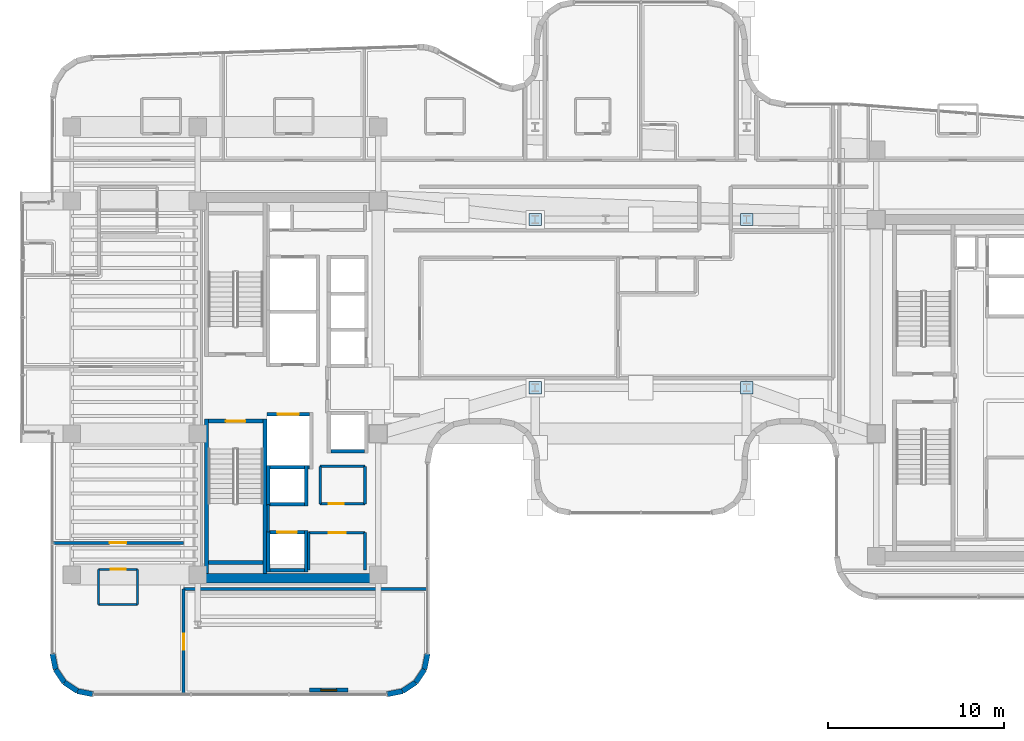
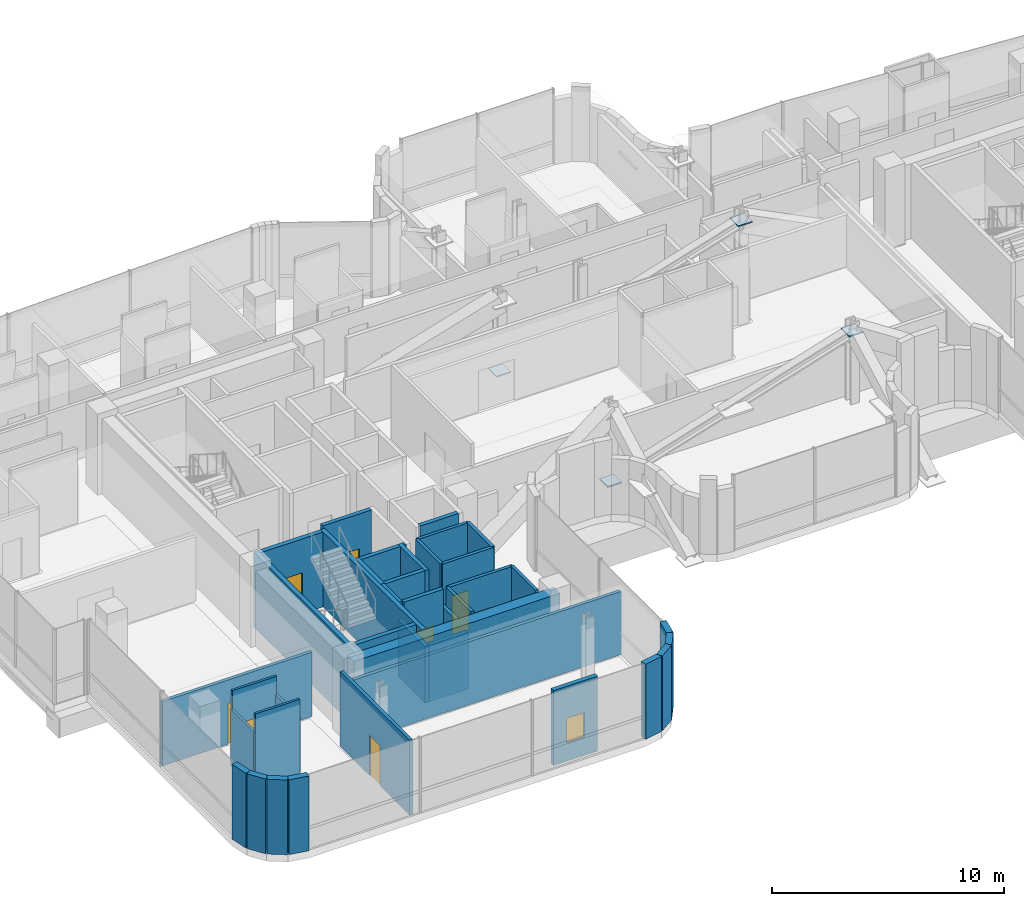
# One storey, part 26 of 37: 39 walls, 8 doors, 4 plates, 1 window, 9 openings.
"""IFC4 building model written with IfcOpenShell, lengths in metres."""

from ifc_helpers import new_model, si_unit, direction, frame, frame_2d, origin, origin_2d, place, context, subcontext, project, spatial, rectangle, extrude, source, transform, mapped, material, layer, layer_set, type_object, element, fill, save


model = new_model("IFC4")

# Units and contexts
model_context = context("Model", 3, precision=1e-05, world=origin(), true_north=direction((0.0, 1.0)))
body_context = subcontext(model_context, "Body", "Model", "MODEL_VIEW")
ifc_project = project(units=[si_unit("LENGTHUNIT", "METRE"), si_unit("AREAUNIT", "SQUARE_METRE"), si_unit("VOLUMEUNIT", "CUBIC_METRE"), si_unit("PLANEANGLEUNIT", "RADIAN"), si_unit("MASSUNIT", "GRAM", prefix="KILO")], contexts=[model_context])

# Site, building, storey
site_placement = place(None, origin())
site = spatial("IfcSite", under=ifc_project, at=site_placement, CompositionType="ELEMENT")
building_placement = place(site_placement, origin())
building = spatial("IfcBuilding", under=site, at=building_placement, Name="Valdorenza Pilgrim Sanctuary Tower", CompositionType="ELEMENT")
storey_placement = place(building_placement, frame((0.0, 0.0, 172.300048828125)))
storey = spatial("IfcBuildingStorey", under=building, at=storey_placement, Name="L44", CompositionType="ELEMENT", Elevation=172.300048828125)

# Plates
ifc_material_1 = material(Name="Steel ASTM A572 Grade 42", Category="steel")
ifc_layer_1 = layer(ifc_material_1, 0.06005859375, Name="Steel ASTM A572 Grade 42")
ifc_layer_set_1 = layer_set([ifc_layer_1], Name="Steel ASTM A572 Grade 42")
plate_type = type_object("IfcPlateType", Name="PLT-CAP-60", PredefinedType="SHEET", material=ifc_layer_set_1)
shared_shape = source(origin(), body_context, "Body", "SweptSolid", [
    extrude(rectangle(XDim=0.699951171875, YDim=0.699951171875, at=origin_2d()), origin(), (0.0, 0.0, 1.0), 0.06005859375),
])
for number, where, z_axis, x_axis, name in (
    (1, (-3.5, 9.550048828125, -0.030029296875), (0.0, 0.0, 1.0), (1.0, 0.0, 0.0), "L44 Portal Bridge Truss Central Web 1 End Connection Plate 1"),
    (2, (8.5, 9.550048828125, 3.669921875), (0.0, 0.0, 1.0), (1.0, 0.0, 0.0), "L44 Portal Bridge Truss Central Web 1 End Connection Plate 2"),
    (3, (-3.5, 0.0, -0.030029296875), (0.0, 0.0, 1.0), (1.0, 0.0, 0.0), "L44 Portal Bridge Truss Central Web 2 End Connection Plate 1"),
    (4, (8.5, 0.0, 3.669921875), (0.0, 0.0, 1.0), (1.0, 0.0, 0.0), "L44 Portal Bridge Truss Central Web 2 End Connection Plate 2"),
):
    element("IfcPlate", number, at=place(storey_placement, frame(where, z_axis=z_axis, x_axis=x_axis)), inside=storey, type_object=plate_type, Name=name, PredefinedType="SHEET", context=body_context, shape_type="MappedRepresentation", body=[
        mapped(shared_shape, transform((0.0, 0.0, 0.0), x_axis=(1.0, 0.0, 0.0), y_axis=(0.0, 1.0, 0.0), z_axis=(0.0, 0.0, 1.0), scale=1.0)),
    ])

# Wall
ifc_material_2 = material(Name="Acoustic twin-stud gypsum partition", Category="gypsum")
ifc_layer_2 = layer(ifc_material_2, 0.159912109375, Name="Acoustic twin-stud gypsum partition")
ifc_layer_set_2 = layer_set([ifc_layer_2], Name="Acoustic twin-stud gypsum partition")
wall_type_1 = type_object("IfcWallType", Name="WAL-COR-160", PredefinedType="PARTITIONING", material=ifc_layer_set_2)
wall_1_placement = place(storey_placement, frame((-18.64990234375, -8.179931640625, 0.0), z_axis=(0.0, 0.0, 1.0), x_axis=(0.0, 1.0, 0.0)))
element("IfcWall", 5, at=wall_1_placement, inside=storey, type_object=wall_type_1, Name="L44 Core A South Lift Hall West Wall", PredefinedType="PARTITIONING", context=body_context, shape_type="SweptSolid", body=[
    extrude(rectangle(XDim=1.559814453125, YDim=0.159912109375, at=frame_2d((0.77978515625, 0.0))), origin(), (0.0, 0.0, 1.0), 3.929931640625),
])

# Wall, opening, door
wall_2_placement = place(storey_placement, frame((-16.35009765625, -8.219970703125, 0.0), z_axis=(0.0, 0.0, 1.0), x_axis=(1.0, 0.0, 0.0)))
wall_2 = element("IfcWall", 6, at=wall_2_placement, inside=storey, type_object=wall_type_1, Name="L44 Freed Shaft 1 North Wall", PredefinedType="PARTITIONING", context=body_context, shape_type="SweptSolid", body=[
    extrude(rectangle(XDim=3.2001953125, YDim=0.159912109375, at=frame_2d((1.60009765625, 0.0))), origin(), (0.0, 0.0, 1.0), 3.929931640625),
])
opening_1_placement = place(wall_2_placement, frame((1.14990234375, 0.0, 0.0)))
opening_1 = element("IfcOpeningElement", 7, at=opening_1_placement, cuts=wall_2, Name="Opening DR-UN1", PredefinedType="OPENING", context=body_context, shape_type="SweptSolid", body=[
    extrude(rectangle(XDim=0.949951171875, YDim=2.14990234375, at=frame_2d((0.47509765625, 1.074951171875))), frame((0.0, 0.0947265625, 0.0), z_axis=(0.0, -1.0, 0.0), x_axis=(1.0, 0.0, 0.0)), (0.0, 0.0, 1.0), 0.189697265625),
])
ifc_material_3 = material(Name="Solid-core European oak timber", Category="wood")
door_type_1 = type_object("IfcDoorType", Name="DR-UNIT-950", OperationType="NOTDEFINED", PredefinedType="DOOR", material=ifc_material_3)
door_1_placement = place(opening_1_placement, origin())
door_1 = element("IfcDoor", 8, at=door_1_placement, inside=storey, type_object=door_type_1, Name="L44 Back-of-House Linen Store Door", OperationType="SINGLE_SWING_LEFT", OverallHeight=2.14990234375, OverallWidth=0.949951171875, PredefinedType="DOOR", context=body_context, shape_type="SweptSolid", body=[
    extrude(rectangle(XDim=0.949951171875, YDim=2.14990234375, at=frame_2d((0.47509765625, 1.074951171875))), frame((0.0, 0.02490234375, 0.0), z_axis=(0.0, -1.0, 0.0), x_axis=(1.0, 0.0, 0.0)), (0.0, 0.0, 1.0), 0.050048828125),
])
fill(opening_1, door_1)

# Wall
wall_3_placement = place(storey_placement, frame((-13.14990234375, -10.35009765625, 0.0), z_axis=(0.0, 0.0, 1.0), x_axis=(0.0, 1.0, 0.0)))
element("IfcWall", 9, at=wall_3_placement, inside=storey, type_object=wall_type_1, Name="L44 Freed Shaft 1 East Wall", PredefinedType="PARTITIONING", context=body_context, shape_type="SweptSolid", body=[
    extrude(rectangle(XDim=2.130126953125, YDim=0.159912109375, at=frame_2d((1.06494140625, 0.0))), origin(), (0.0, 0.0, 1.0), 3.929931640625),
])

# Wall, opening, door
wall_4_placement = place(storey_placement, frame((-15.699951171875, -6.580078125, 0.0), z_axis=(0.0, 0.0, 1.0), x_axis=(1.0, 0.0, 0.0)))
wall_4 = element("IfcWall", 10, at=wall_4_placement, inside=storey, type_object=wall_type_1, Name="L44 Freed Shaft 2 South Wall", PredefinedType="PARTITIONING", context=body_context, shape_type="SweptSolid", body=[
    extrude(rectangle(XDim=2.550048828125, YDim=0.159912109375, at=frame_2d((1.27490234375, 0.0))), origin(), (0.0, 0.0, 1.0), 3.929931640625),
])
opening_2_placement = place(wall_4_placement, frame((0.5, 0.0, 0.0)))
opening_2 = element("IfcOpeningElement", 11, at=opening_2_placement, cuts=wall_4, Name="Opening DR-RS1", PredefinedType="OPENING", context=body_context, shape_type="SweptSolid", body=[
    extrude(rectangle(XDim=0.85009765625, YDim=2.050048828125, at=frame_2d((0.425048828125, 1.02490234375))), frame((0.0, 0.0947265625, 0.0), z_axis=(0.0, -1.0, 0.0), x_axis=(1.0, 0.0, 0.0)), (0.0, 0.0, 1.0), 0.189697265625),
])
ifc_material_4 = material(Name="Painted galvanized steel", Category="steel")
door_type_2 = type_object("IfcDoorType", Name="DR-RSR-850", OperationType="NOTDEFINED", PredefinedType="DOOR", material=ifc_material_4)
door_2_placement = place(opening_2_placement, origin())
door_2 = element("IfcDoor", 12, at=door_2_placement, inside=storey, type_object=door_type_2, Name="L44 Guest Tea Pantry Door", OperationType="SINGLE_SWING_RIGHT", OverallHeight=2.050048828125, OverallWidth=0.85009765625, PredefinedType="DOOR", context=body_context, shape_type="SweptSolid", body=[
    extrude(rectangle(XDim=0.85009765625, YDim=2.050048828125, at=frame_2d((0.425048828125, 1.02490234375))), frame((0.0, 0.02490234375, 0.0), z_axis=(0.0, -1.0, 0.0), x_axis=(1.0, 0.0, 0.0)), (0.0, 0.0, 1.0), 0.050048828125),
])
fill(opening_2, door_2)

# Walls
wall_5_placement = place(storey_placement, frame((-13.14990234375, -6.580078125, 0.0), z_axis=(0.0, 0.0, 1.0), x_axis=(0.0, 1.0, 0.0)))
element("IfcWall", 13, at=wall_5_placement, inside=storey, type_object=wall_type_1, Name="L44 Freed Shaft 2 East Wall", PredefinedType="PARTITIONING", context=body_context, shape_type="SweptSolid", body=[
    extrude(rectangle(XDim=2.130126953125, YDim=0.159912109375, at=frame_2d((1.06494140625, 0.0))), origin(), (0.0, 0.0, 1.0), 3.929931640625),
])
wall_6_placement = place(storey_placement, frame((-23.449951171875, -11.419921875, 0.0), z_axis=(0.0, 0.0, 1.0), x_axis=(1.0, 0.0, 0.0)))
element("IfcWall", 14, at=wall_6_placement, inside=storey, type_object=wall_type_1, Name="L44 South-East Pocket North Wall", PredefinedType="PARTITIONING", context=body_context, shape_type="SweptSolid", body=[
    extrude(rectangle(XDim=13.83984375, YDim=0.159912109375, at=frame_2d((6.919921875, 0.0))), origin(), (0.0, 0.0, 1.0), 3.303955078125),
])

# Wall, opening, door
wall_7_placement = place(storey_placement, frame((-23.449951171875, -17.389892578125, 0.0), z_axis=(0.0, 0.0, 1.0), x_axis=(0.0, 1.0, 0.0)))
wall_7 = element("IfcWall", 15, at=wall_7_placement, inside=storey, type_object=wall_type_1, Name="L44 South-East Pocket West Wall", PredefinedType="PARTITIONING", context=body_context, shape_type="SweptSolid", body=[
    extrude(rectangle(XDim=5.969970703125, YDim=0.159912109375, at=frame_2d((2.98486328125, 0.0))), origin(), (0.0, 0.0, 1.0), 3.929931640625),
])
opening_3_placement = place(wall_7_placement, frame((2.534912109375, 0.0, 0.0)))
opening_3 = element("IfcOpeningElement", 16, at=opening_3_placement, cuts=wall_7, Name="Opening DR-RM1", PredefinedType="OPENING", context=body_context, shape_type="SweptSolid", body=[
    extrude(rectangle(XDim=0.89990234375, YDim=2.10009765625, at=frame_2d((0.449951171875, 1.050048828125))), frame((0.0, 0.0947265625, 0.0), z_axis=(0.0, -1.0, 0.0), x_axis=(1.0, 0.0, 0.0)), (0.0, 0.0, 1.0), 0.189697265625),
])
door_type_3 = type_object("IfcDoorType", Name="DR-ROOM-900", OperationType="NOTDEFINED", PredefinedType="DOOR", material=ifc_material_3)
door_3_placement = place(opening_3_placement, frame((0.89990234375, 0.0, 0.0), z_axis=(0.0, 0.0, 1.0), x_axis=(-1.0, 0.0, 0.0)))
door_3 = element("IfcDoor", 17, at=door_3_placement, inside=storey, type_object=door_type_3, Name="L44 Sacred Archive Reading Library L44-S Door", OperationType="SINGLE_SWING_LEFT", OverallHeight=2.10009765625, OverallWidth=0.89990234375, PredefinedType="DOOR", context=body_context, shape_type="SweptSolid", body=[
    extrude(rectangle(XDim=0.89990234375, YDim=2.10009765625, at=frame_2d((0.449951171875, 1.050048828125))), frame((0.0, 0.02490234375, 0.0), z_axis=(0.0, -1.0, 0.0), x_axis=(1.0, 0.0, 0.0)), (0.0, 0.0, 1.0), 0.050048828125),
])
fill(opening_3, door_3)

wall_8_placement = place(storey_placement, frame((-30.889892578125, -8.800048828125, 0.0), z_axis=(0.0, 0.0, 1.0), x_axis=(1.0, 0.0, 0.0)))
wall_8 = element("IfcWall", 18, at=wall_8_placement, inside=storey, type_object=wall_type_1, Name="L44 Cloister South Room Wall", PredefinedType="PARTITIONING", context=body_context, shape_type="SweptSolid", body=[
    extrude(rectangle(XDim=7.43994140625, YDim=0.159912109375, at=frame_2d((3.719970703125, 0.0))), origin(), (0.0, 0.0, 1.0), 3.3759765625),
])
opening_4_placement = place(wall_8_placement, frame((3.2451171875, 0.0, 0.0)))
opening_4 = element("IfcOpeningElement", 19, at=opening_4_placement, cuts=wall_8, Name="Opening DR-UN1", PredefinedType="OPENING", context=body_context, shape_type="SweptSolid", body=[
    extrude(rectangle(XDim=0.949951171875, YDim=2.14990234375, at=frame_2d((0.47509765625, 1.074951171875))), frame((0.0, 0.0947265625, 0.0), z_axis=(0.0, -1.0, 0.0), x_axis=(1.0, 0.0, 0.0)), (0.0, 0.0, 1.0), 0.189697265625),
])
door_4_placement = place(opening_4_placement, origin())
door_4 = element("IfcDoor", 20, at=door_4_placement, inside=storey, type_object=door_type_1, Name="L44 Pilgrim Guest Room L44-CS1 Entrance Door", OperationType="SINGLE_SWING_RIGHT", OverallHeight=2.14990234375, OverallWidth=0.949951171875, PredefinedType="DOOR", context=body_context, shape_type="SweptSolid", body=[
    extrude(rectangle(XDim=0.949951171875, YDim=2.14990234375, at=frame_2d((0.47509765625, 1.074951171875))), frame((0.0, 0.02490234375, 0.0), z_axis=(0.0, -1.0, 0.0), x_axis=(1.0, 0.0, 0.0)), (0.0, 0.0, 1.0), 0.050048828125),
])
fill(opening_4, door_4)

# Walls
ifc_material_5 = material(Name="Concrete C50/60", Category="concrete")
ifc_layer_3 = layer(ifc_material_5, 0.550048828125, Name="Concrete C50/60")
ifc_layer_set_3 = layer_set([ifc_layer_3], Name="Concrete C50/60")
wall_type_2 = type_object("IfcWallType", Name="WAL-COR-550", PredefinedType="SHEAR", material=ifc_layer_set_3)
wall_9_placement = place(storey_placement, frame((-22.64990234375, -10.800048828125, 0.0), z_axis=(0.0, 0.0, 1.0), x_axis=(1.0, 0.0, 0.0)))
element("IfcWall", 21, at=wall_9_placement, inside=storey, type_object=wall_type_2, Name="L44 Split Core A Shear Wall S", PredefinedType="SHEAR", context=body_context, shape_type="SweptSolid", body=[
    extrude(rectangle(XDim=10.25, YDim=0.550048828125, at=frame_2d((5.125, 0.0))), origin(), (0.0, 0.0, 1.0), 3.929931640625),
])
ifc_material_6 = material(Name="Honed travertine limestone", Category="masonry")
ifc_layer_4 = layer(ifc_material_6, 0.300048828125, Name="Honed travertine limestone")
ifc_layer_set_4 = layer_set([ifc_layer_4], Name="Honed travertine limestone")
wall_type_3 = type_object("IfcWallType", Name="WAL-EXT-300", PredefinedType="SOLIDWALL", material=ifc_layer_set_4)
wall_10_placement = place(storey_placement, frame((-9.610107421875, -15.089111328125, 0.0), z_axis=(0.0, 0.0, 1.0), x_axis=(-0.195025152871, -0.980798241101, 0.0)))
element("IfcWall", 22, at=wall_10_placement, inside=storey, type_object=wall_type_3, Name="L44 Rounded Wind-Corner Stone Pier 78", PredefinedType="SOLIDWALL", context=body_context, shape_type="SweptSolid", body=[
    extrude(rectangle(XDim=0.90380859375, YDim=0.300048828125, at=frame_2d((0.451904296875, 0.0))), origin(), (0.0, 0.0, 1.0), 3.929931640625),
])
for number, where, z_axis, x_axis, name in (
    (23, (-9.786376953125, -15.9755859375, 0.0), (0.0, 0.0, 1.0), (-0.555520488502, -0.831502848374, 0.0), "L44 Rounded Wind-Corner Stone Pier 79"),
    (24, (-10.2822265625, -16.7177734375, 0.0), (0.0, 0.0, 1.0), (-0.831502848374, -0.555520488502, 0.0), "L44 Rounded Wind-Corner Stone Pier 80"),
):
    element("IfcWall", number, at=place(storey_placement, frame(where, z_axis=z_axis, x_axis=x_axis)), inside=storey, type_object=wall_type_3, Name=name, PredefinedType="SOLIDWALL", context=body_context, shape_type="SweptSolid", body=[
        extrude(rectangle(XDim=0.892578125, YDim=0.300048828125, at=frame_2d((0.4462890625, 0.0))), origin(), (0.0, 0.0, 1.0), 3.929931640625),
    ])
wall_11_placement = place(storey_placement, frame((-11.0244140625, -17.213623046875, 0.0), z_axis=(0.0, 0.0, 1.0), x_axis=(-0.980798241101, -0.195025152871, 0.0)))
element("IfcWall", 25, at=wall_11_placement, inside=storey, type_object=wall_type_3, Name="L44 Rounded Wind-Corner Stone Pier 81", PredefinedType="SOLIDWALL", context=body_context, shape_type="SweptSolid", body=[
    extrude(rectangle(XDim=0.90380859375, YDim=0.300048828125, at=frame_2d((0.451904296875, 0.0))), origin(), (0.0, 0.0, 1.0), 3.929931640625),
])

# Wall, opening, window
wall_12_placement = place(storey_placement, frame((-14.11083984375, -17.14990234375, 0.0), z_axis=(0.0, 0.0, 1.0), x_axis=(-1.0, 0.0, 0.0)))
wall_12 = element("IfcWall", 26, at=wall_12_placement, inside=storey, type_object=wall_type_3, Name="L44 Operable Ventilation Sash Jamb Pier", PredefinedType="SOLIDWALL", context=body_context, shape_type="SweptSolid", body=[
    extrude(rectangle(XDim=2.199951171875, YDim=0.219970703125, at=frame_2d((1.10009765625, 0.0))), origin(), (0.0, 0.0, 1.0), 3.929931640625),
])
opening_5_placement = place(wall_12_placement, frame((0.64990234375, 0.0, 0.949951171875)))
opening_5 = element("IfcOpeningElement", 27, at=opening_5_placement, cuts=wall_12, Name="Opening WN-OP1", PredefinedType="OPENING", context=body_context, shape_type="SweptSolid", body=[
    extrude(rectangle(XDim=0.89990234375, YDim=1.300048828125, at=frame_2d((0.449951171875, 0.64990234375))), frame((0.0, 0.125, 0.0), z_axis=(0.0, -1.0, 0.0), x_axis=(1.0, 0.0, 0.0)), (0.0, 0.0, 1.0), 0.249755859375),
])
ifc_material_7 = material(Name="Ceramic-fritted low-E IGU glazing", Category="glass")
window_type = type_object("IfcWindowType", Name="WIN-OPN-900", PartitioningType="SINGLE_PANEL", PredefinedType="WINDOW", material=ifc_material_7)
window_placement = place(opening_5_placement, origin())
window = element("IfcWindow", 28, at=window_placement, inside=storey, type_object=window_type, Name="L44 Parallel-Pop-Out Operable Facade Panel", OverallHeight=1.300048828125, OverallWidth=0.89990234375, PartitioningType="SINGLE_PANEL", PredefinedType="WINDOW", context=body_context, shape_type="SweptSolid", body=[
    extrude(rectangle(XDim=0.89990234375, YDim=1.300048828125, at=frame_2d((0.449951171875, 0.64990234375))), frame((0.0, 0.030029296875, 0.0), z_axis=(0.0, -1.0, 0.0), x_axis=(1.0, 0.0, 0.0)), (0.0, 0.0, 1.0), 0.06005859375),
])
fill(opening_5, window)

# Walls
wall_13_placement = place(storey_placement, frame((-28.589111328125, -17.389892578125, 0.0), z_axis=(0.0, 0.0, 1.0), x_axis=(-0.980798241101, 0.195025152871, 0.0)))
element("IfcWall", 29, at=wall_13_placement, inside=storey, type_object=wall_type_3, Name="L44 Rounded Wind-Corner Stone Pier 83", PredefinedType="SOLIDWALL", context=body_context, shape_type="SweptSolid", body=[
    extrude(rectangle(XDim=0.90380859375, YDim=0.300048828125, at=frame_2d((0.451904296875, 0.0))), origin(), (0.0, 0.0, 1.0), 3.929931640625),
])
for number, where, z_axis, x_axis, name in (
    (30, (-29.4755859375, -17.213623046875, 0.0), (0.0, 0.0, 1.0), (-0.831502848374, 0.555520488502, 0.0), "L44 Rounded Wind-Corner Stone Pier 84"),
    (31, (-30.2177734375, -16.7177734375, 0.0), (0.0, 0.0, 1.0), (-0.555520488502, 0.831502848374, 0.0), "L44 Rounded Wind-Corner Stone Pier 85"),
):
    element("IfcWall", number, at=place(storey_placement, frame(where, z_axis=z_axis, x_axis=x_axis)), inside=storey, type_object=wall_type_3, Name=name, PredefinedType="SOLIDWALL", context=body_context, shape_type="SweptSolid", body=[
        extrude(rectangle(XDim=0.892578125, YDim=0.300048828125, at=frame_2d((0.4462890625, 0.0))), origin(), (0.0, 0.0, 1.0), 3.929931640625),
    ])
wall_14_placement = place(storey_placement, frame((-30.713623046875, -15.9755859375, 0.0), z_axis=(0.0, 0.0, 1.0), x_axis=(-0.195025152871, 0.980798241101, 0.0)))
element("IfcWall", 32, at=wall_14_placement, inside=storey, type_object=wall_type_3, Name="L44 Rounded Wind-Corner Stone Pier 86", PredefinedType="SOLIDWALL", context=body_context, shape_type="SweptSolid", body=[
    extrude(rectangle(XDim=0.90380859375, YDim=0.300048828125, at=frame_2d((0.451904296875, 0.0))), origin(), (0.0, 0.0, 1.0), 3.929931640625),
])
ifc_material_8 = material(Name="Moisture-resistant gypsum partition", Category="gypsum")
ifc_layer_5 = layer(ifc_material_8, 0.1201171875, Name="Moisture-resistant gypsum partition")
ifc_layer_set_5 = layer_set([ifc_layer_5], Name="Moisture-resistant gypsum partition")
wall_type_4 = type_object("IfcWallType", Name="WAL-INT-120", PredefinedType="PARTITIONING", material=ifc_layer_set_5)
for number, where, z_axis, x_axis, name in (
    (33, (-28.27001953125, -12.300048828125, 0.0), (0.0, 0.0, 1.0), (0.0, 1.0, 0.0), "L44 Pilgrim Guest Room L44-CS1 En-suite West Wall"),
    (34, (-26.070068359375, -12.300048828125, 0.0), (0.0, 0.0, 1.0), (0.0, 1.0, 0.0), "L44 Pilgrim Guest Room L44-CS1 En-suite East Wall"),
):
    element("IfcWall", number, at=place(storey_placement, frame(where, z_axis=z_axis, x_axis=x_axis)), inside=storey, type_object=wall_type_4, Name=name, PredefinedType="PARTITIONING", context=body_context, shape_type="SweptSolid", body=[
        extrude(rectangle(XDim=2.0, YDim=0.1201171875, at=frame_2d((1.0, 0.0))), origin(), (0.0, 0.0, 1.0), 2.96484375),
    ])
wall_15_placement = place(storey_placement, frame((-28.27001953125, -12.300048828125, 0.0), z_axis=(0.0, 0.0, 1.0), x_axis=(1.0, 0.0, 0.0)))
element("IfcWall", 35, at=wall_15_placement, inside=storey, type_object=wall_type_4, Name="L44 Pilgrim Guest Room L44-CS1 En-suite Back Wall", PredefinedType="PARTITIONING", context=body_context, shape_type="SweptSolid", body=[
    extrude(rectangle(XDim=2.199951171875, YDim=0.1201171875, at=frame_2d((1.10009765625, 0.0))), origin(), (0.0, 0.0, 1.0), 3.929931640625),
])

# Wall, opening, door
wall_16_placement = place(storey_placement, frame((-28.27001953125, -10.300048828125, 0.0), z_axis=(0.0, 0.0, 1.0), x_axis=(1.0, 0.0, 0.0)))
wall_16 = element("IfcWall", 36, at=wall_16_placement, inside=storey, type_object=wall_type_4, Name="L44 Pilgrim Guest Room L44-CS1 En-suite Door Wall", PredefinedType="PARTITIONING", context=body_context, shape_type="SweptSolid", body=[
    extrude(rectangle(XDim=2.199951171875, YDim=0.1201171875, at=frame_2d((1.10009765625, 0.0))), origin(), (0.0, 0.0, 1.0), 3.929931640625),
])
opening_6_placement = place(wall_16_placement, frame((0.675048828125, 0.0, 0.0)))
opening_6 = element("IfcOpeningElement", 37, at=opening_6_placement, cuts=wall_16, Name="Opening DR-WC1", PredefinedType="OPENING", context=body_context, shape_type="SweptSolid", body=[
    extrude(rectangle(XDim=0.85009765625, YDim=2.10009765625, at=frame_2d((0.425048828125, 1.050048828125))), frame((0.0, 0.074951171875, 0.0), z_axis=(0.0, -1.0, 0.0), x_axis=(1.0, 0.0, 0.0)), (0.0, 0.0, 1.0), 0.14990234375),
])
ifc_material_9 = material(Name="Moisture-resistant lacquered timber", Category="wood")
door_type_4 = type_object("IfcDoorType", Name="DR-BATH-850", OperationType="NOTDEFINED", PredefinedType="DOOR", material=ifc_material_9)
door_5_placement = place(opening_6_placement, origin())
door_5 = element("IfcDoor", 38, at=door_5_placement, inside=storey, type_object=door_type_4, Name="L44 Pilgrim Guest Room L44-CS1 En-suite Bathroom Door", OperationType="SINGLE_SWING_LEFT", OverallHeight=2.10009765625, OverallWidth=0.85009765625, PredefinedType="DOOR", context=body_context, shape_type="SweptSolid", body=[
    extrude(rectangle(XDim=0.85009765625, YDim=2.10009765625, at=frame_2d((0.425048828125, 1.050048828125))), frame((0.0, 0.02490234375, 0.0), z_axis=(0.0, -1.0, 0.0), x_axis=(1.0, 0.0, 0.0)), (0.0, 0.0, 1.0), 0.050048828125),
])
fill(opening_6, door_5)

# Wall
ifc_material_10 = material(Name="Autoclaved aerated concrete blockwork", Category="masonry")
ifc_layer_6 = layer(ifc_material_10, 0.199951171875, Name="Autoclaved aerated concrete blockwork")
ifc_layer_set_6 = layer_set([ifc_layer_6], Name="Autoclaved aerated concrete blockwork")
wall_type_5 = type_object("IfcWallType", Name="WAL-SHF-200", PredefinedType="MOVABLE", material=ifc_layer_set_6)
wall_17_placement = place(storey_placement, frame((-18.719970703125, -4.5, 0.0), z_axis=(0.0, 0.0, 1.0), x_axis=(1.0, 0.0, 0.0)))
element("IfcWall", 39, at=wall_17_placement, inside=storey, type_object=wall_type_5, Name="L44 Lift FFL-02 Hoistway Wall South", PredefinedType="MOVABLE", context=body_context, shape_type="SweptSolid", body=[
    extrude(rectangle(XDim=2.419921875, YDim=0.199951171875, at=frame_2d((1.2099609375, 0.0))), origin(), (0.0, 0.0, 1.0), 3.929931640625),
])

# Wall, opening, door
wall_18_placement = place(storey_placement, frame((-18.719970703125, -1.5, 0.0), z_axis=(0.0, 0.0, 1.0), x_axis=(1.0, 0.0, 0.0)))
wall_18 = element("IfcWall", 40, at=wall_18_placement, inside=storey, type_object=wall_type_5, Name="L44 Lift FFL-02 Hoistway Wall North", PredefinedType="MOVABLE", context=body_context, shape_type="SweptSolid", body=[
    extrude(rectangle(XDim=2.419921875, YDim=0.199951171875, at=frame_2d((1.2099609375, 0.0))), origin(), (0.0, 0.0, 1.0), 3.929931640625),
])
opening_7_placement = place(wall_18_placement, frame((0.610107421875, 0.0, 0.0)))
opening_7 = element("IfcOpeningElement", 41, at=opening_7_placement, cuts=wall_18, Name="Opening LD-02", PredefinedType="OPENING", context=body_context, shape_type="SweptSolid", body=[
    extrude(rectangle(XDim=1.199951171875, YDim=2.10009765625, at=frame_2d((0.60009765625, 1.050048828125))), frame((0.0, 0.11474609375, 0.0), z_axis=(0.0, -1.0, 0.0), x_axis=(1.0, 0.0, 0.0)), (0.0, 0.0, 1.0), 0.229736328125),
])
ifc_material_11 = material(Name="Brushed stainless steel Grade 316", Category="steel")
door_type_5 = type_object("IfcDoorType", Name="DR-LFT-1200", OperationType="DOUBLE_DOOR_SLIDING", PredefinedType="DOOR", material=ifc_material_11)
door_6_placement = place(opening_7_placement, origin())
door_6 = element("IfcDoor", 42, at=door_6_placement, inside=storey, type_object=door_type_5, Name="L44 Lift FFL-02 Sliding Landing Door", OperationType="DOUBLE_DOOR_SLIDING", OverallHeight=2.10009765625, OverallWidth=1.199951171875, PredefinedType="DOOR", context=body_context, shape_type="SweptSolid", body=[
    extrude(rectangle(XDim=1.199951171875, YDim=2.10009765625, at=frame_2d((0.60009765625, 1.050048828125))), frame((0.0, 0.02490234375, 0.0), z_axis=(0.0, -1.0, 0.0), x_axis=(1.0, 0.0, 0.0)), (0.0, 0.0, 1.0), 0.050048828125),
])
fill(opening_7, door_6)

# Walls
for number, where, z_axis, x_axis, name in (
    (43, (-18.64990234375, -10.449951171875, 0.0), (0.0, 0.0, 1.0), (0.0, 1.0, 0.0), "L44 Lift PL-05 Hoistway Wall West"),
    (44, (-16.5, -10.449951171875, 0.0), (0.0, 0.0, 1.0), (0.0, 1.0, 0.0), "L44 Lift PL-05 Hoistway Wall East"),
):
    element("IfcWall", number, at=place(storey_placement, frame(where, z_axis=z_axis, x_axis=x_axis)), inside=storey, type_object=wall_type_5, Name=name, PredefinedType="MOVABLE", context=body_context, shape_type="SweptSolid", body=[
        extrude(rectangle(XDim=2.349853515625, YDim=0.199951171875, at=frame_2d((1.1748046875, 0.0))), origin(), (0.0, 0.0, 1.0), 2.96484375),
    ])
wall_19_placement = place(storey_placement, frame((-18.550048828125, -10.35009765625, 0.0), z_axis=(0.0, 0.0, 1.0), x_axis=(1.0, 0.0, 0.0)))
element("IfcWall", 45, at=wall_19_placement, inside=storey, type_object=wall_type_5, Name="L44 Lift PL-05 Hoistway Wall South", PredefinedType="MOVABLE", context=body_context, shape_type="SweptSolid", body=[
    extrude(rectangle(XDim=1.949951171875, YDim=0.199951171875, at=frame_2d((0.97509765625, 0.0))), origin(), (0.0, 0.0, 1.0), 2.96484375),
])

# Wall, opening, door
wall_20_placement = place(storey_placement, frame((-18.550048828125, -8.199951171875, 0.0), z_axis=(0.0, 0.0, 1.0), x_axis=(1.0, 0.0, 0.0)))
wall_20 = element("IfcWall", 46, at=wall_20_placement, inside=storey, type_object=wall_type_5, Name="L44 Lift PL-05 Hoistway Wall North", PredefinedType="MOVABLE", context=body_context, shape_type="SweptSolid", body=[
    extrude(rectangle(XDim=1.949951171875, YDim=0.199951171875, at=frame_2d((0.97509765625, 0.0))), origin(), (0.0, 0.0, 1.0), 3.929931640625),
])
opening_8_placement = place(wall_20_placement, frame((0.425048828125, 0.0, 0.0)))
opening_8 = element("IfcOpeningElement", 47, at=opening_8_placement, cuts=wall_20, Name="Opening LD-01", PredefinedType="OPENING", context=body_context, shape_type="SweptSolid", body=[
    extrude(rectangle(XDim=1.10009765625, YDim=2.10009765625, at=frame_2d((0.550048828125, 1.050048828125))), frame((0.0, 0.11474609375, 0.0), z_axis=(0.0, -1.0, 0.0), x_axis=(1.0, 0.0, 0.0)), (0.0, 0.0, 1.0), 0.229736328125),
])
door_type_6 = type_object("IfcDoorType", Name="DR-LFT-1100", OperationType="DOUBLE_DOOR_SLIDING", PredefinedType="DOOR", material=ifc_material_11)
door_7_placement = place(opening_8_placement, origin())
door_7 = element("IfcDoor", 48, at=door_7_placement, inside=storey, type_object=door_type_6, Name="L44 Lift PL-05 Sliding Landing Door", OperationType="DOUBLE_DOOR_SLIDING", OverallHeight=2.10009765625, OverallWidth=1.10009765625, PredefinedType="DOOR", context=body_context, shape_type="SweptSolid", body=[
    extrude(rectangle(XDim=1.10009765625, YDim=2.10009765625, at=frame_2d((0.550048828125, 1.050048828125))), frame((0.0, 0.02490234375, 0.0), z_axis=(0.0, -1.0, 0.0), x_axis=(1.0, 0.0, 0.0)), (0.0, 0.0, 1.0), 0.050048828125),
])
fill(opening_8, door_7)

# Walls
for number, where, z_axis, x_axis, name in (
    (49, (-18.64990234375, -6.699951171875, 0.0), (0.0, 0.0, 1.0), (0.0, 1.0, 0.0), "L44 Lift PL-11 Hoistway Wall West"),
    (50, (-16.5, -6.699951171875, 0.0), (0.0, 0.0, 1.0), (0.0, 1.0, 0.0), "L44 Lift PL-11 Hoistway Wall East"),
):
    element("IfcWall", number, at=place(storey_placement, frame(where, z_axis=z_axis, x_axis=x_axis)), inside=storey, type_object=wall_type_5, Name=name, PredefinedType="MOVABLE", context=body_context, shape_type="SweptSolid", body=[
        extrude(rectangle(XDim=2.300048828125, YDim=0.199951171875, at=frame_2d((1.14990234375, 0.0))), origin(), (0.0, 0.0, 1.0), 3.929931640625),
    ])
wall_21_placement = place(storey_placement, frame((-18.550048828125, -6.60009765625, 0.0), z_axis=(0.0, 0.0, 1.0), x_axis=(1.0, 0.0, 0.0)))
element("IfcWall", 51, at=wall_21_placement, inside=storey, type_object=wall_type_5, Name="L44 Lift PL-11 Hoistway Wall South", PredefinedType="MOVABLE", context=body_context, shape_type="SweptSolid", body=[
    extrude(rectangle(XDim=1.949951171875, YDim=0.199951171875, at=frame_2d((0.97509765625, 0.0))), origin(), (0.0, 0.0, 1.0), 3.929931640625),
])
wall_22_placement = place(storey_placement, frame((-15.10009765625, -3.60009765625, 0.0), z_axis=(0.0, 0.0, 1.0), x_axis=(1.0, 0.0, 0.0)))
element("IfcWall", 52, at=wall_22_placement, inside=storey, type_object=wall_type_5, Name="L44 Lift PL-12 Hoistway Wall South", PredefinedType="MOVABLE", context=body_context, shape_type="SweptSolid", body=[
    extrude(rectangle(XDim=1.920166015625, YDim=0.199951171875, at=frame_2d((0.9599609375, 0.0))), origin(), (0.0, 0.0, 1.0), 3.929931640625),
])
ifc_material_12 = material(Name="Concrete C40/50", Category="concrete")
ifc_layer_7 = layer(ifc_material_12, 0.219970703125, Name="Concrete C40/50")
ifc_layer_set_7 = layer_set([ifc_layer_7], Name="Concrete C40/50")
wall_type_6 = type_object("IfcWallType", Name="WAL-STR-SHF-220", PredefinedType="SHEAR", material=ifc_layer_set_7)
for number, where, z_axis, x_axis, name in (
    (53, (-22.159912109375, -10.52490234375, 0.0), (0.0, 0.0, 1.0), (0.0, 1.0, 0.0), "L44 ST-A2 Structural Stairwell Wall W"),
    (54, (-18.830078125, -10.52490234375, 0.0), (0.0, 0.0, 1.0), (0.0, 1.0, 0.0), "L44 ST-A2 Structural Stairwell Wall E"),
):
    element("IfcWall", number, at=place(storey_placement, frame(where, z_axis=z_axis, x_axis=x_axis)), inside=storey, type_object=wall_type_6, Name=name, PredefinedType="SHEAR", context=body_context, shape_type="SweptSolid", body=[
        extrude(rectangle(XDim=8.744873046875, YDim=0.219970703125, at=frame_2d((4.37255859375, 0.0))), origin(), (0.0, 0.0, 1.0), 3.929931640625),
    ])
wall_23_placement = place(storey_placement, frame((-22.050048828125, -9.909912109375, 0.0), z_axis=(0.0, 0.0, 1.0), x_axis=(1.0, 0.0, 0.0)))
element("IfcWall", 55, at=wall_23_placement, inside=storey, type_object=wall_type_6, Name="L44 ST-A2 Structural Stairwell Wall S", PredefinedType="SHEAR", context=body_context, shape_type="SweptSolid", body=[
    extrude(rectangle(XDim=3.110107421875, YDim=0.219970703125, at=frame_2d((1.55517578125, 0.0))), origin(), (0.0, 0.0, 1.0), 3.929931640625),
])

# Wall, opening, door
wall_24_placement = place(storey_placement, frame((-22.050048828125, -1.889892578125, 0.0), z_axis=(0.0, 0.0, 1.0), x_axis=(1.0, 0.0, 0.0)))
wall_24 = element("IfcWall", 56, at=wall_24_placement, inside=storey, type_object=wall_type_6, Name="L44 ST-A2 Structural Stairwell Wall N", PredefinedType="SHEAR", context=body_context, shape_type="SweptSolid", body=[
    extrude(rectangle(XDim=3.110107421875, YDim=0.219970703125, at=frame_2d((1.55517578125, 0.0))), origin(), (0.0, 0.0, 1.0), 3.929931640625),
])
opening_9_placement = place(wall_24_placement, frame((1.0, 0.0, 0.0)))
opening_9 = element("IfcOpeningElement", 57, at=opening_9_placement, cuts=wall_24, Name="Opening DR-ST1", PredefinedType="OPENING", context=body_context, shape_type="SweptSolid", body=[
    extrude(rectangle(XDim=1.10009765625, YDim=2.14990234375, at=frame_2d((0.550048828125, 1.074951171875))), frame((0.0, 0.125, 0.0), z_axis=(0.0, -1.0, 0.0), x_axis=(1.0, 0.0, 0.0)), (0.0, 0.0, 1.0), 0.249755859375),
])
door_type_7 = type_object("IfcDoorType", Name="DR-STAIR-1100", OperationType="NOTDEFINED", PredefinedType="DOOR", material=ifc_material_4)
door_8_placement = place(opening_9_placement, origin())
door_8 = element("IfcDoor", 58, at=door_8_placement, inside=storey, type_object=door_type_7, Name="L44 Exit Stair ST-A2 Door", OperationType="SINGLE_SWING_RIGHT", OverallHeight=2.14990234375, OverallWidth=1.10009765625, PredefinedType="DOOR", context=body_context, shape_type="SweptSolid", body=[
    extrude(rectangle(XDim=1.10009765625, YDim=2.14990234375, at=frame_2d((0.550048828125, 1.074951171875))), frame((0.0, 0.02490234375, 0.0), z_axis=(0.0, -1.0, 0.0), x_axis=(1.0, 0.0, 0.0)), (0.0, 0.0, 1.0), 0.050048828125),
])
fill(opening_9, door_8)

# Walls
ifc_layer_8 = layer(ifc_material_2, 0.14990234375, Name="Acoustic twin-stud gypsum partition")
ifc_layer_set_8 = layer_set([ifc_layer_8], Name="Acoustic twin-stud gypsum partition")
wall_type_7 = type_object("IfcWallType", Name="WAL-UNT-150", PredefinedType="PARTITIONING", material=ifc_layer_set_8)
for number, where, z_axis, x_axis, name in (
    (59, (-16.35009765625, -10.35009765625, 0.0), (0.0, 0.0, 1.0), (0.0, 1.0, 0.0), "L44 Freed Shaft 1 West Wall"),
    (60, (-15.699951171875, -6.580078125, 0.0), (0.0, 0.0, 1.0), (0.0, 1.0, 0.0), "L44 Freed Shaft 2 West Wall"),
):
    element("IfcWall", number, at=place(storey_placement, frame(where, z_axis=z_axis, x_axis=x_axis)), inside=storey, type_object=wall_type_7, Name=name, PredefinedType="PARTITIONING", context=body_context, shape_type="SweptSolid", body=[
        extrude(rectangle(XDim=2.130126953125, YDim=0.14990234375, at=frame_2d((1.06494140625, 0.0))), origin(), (0.0, 0.0, 1.0), 3.929931640625),
    ])
wall_25_placement = place(storey_placement, frame((-15.699951171875, -4.449951171875, 0.0), z_axis=(0.0, 0.0, 1.0), x_axis=(1.0, 0.0, 0.0)))
element("IfcWall", 61, at=wall_25_placement, inside=storey, type_object=wall_type_7, Name="L44 Freed Shaft 2 North Wall", PredefinedType="PARTITIONING", context=body_context, shape_type="SweptSolid", body=[
    extrude(rectangle(XDim=2.550048828125, YDim=0.14990234375, at=frame_2d((1.27490234375, 0.0))), origin(), (0.0, 0.0, 1.0), 3.929931640625),
])

save(model, "model.ifc")
